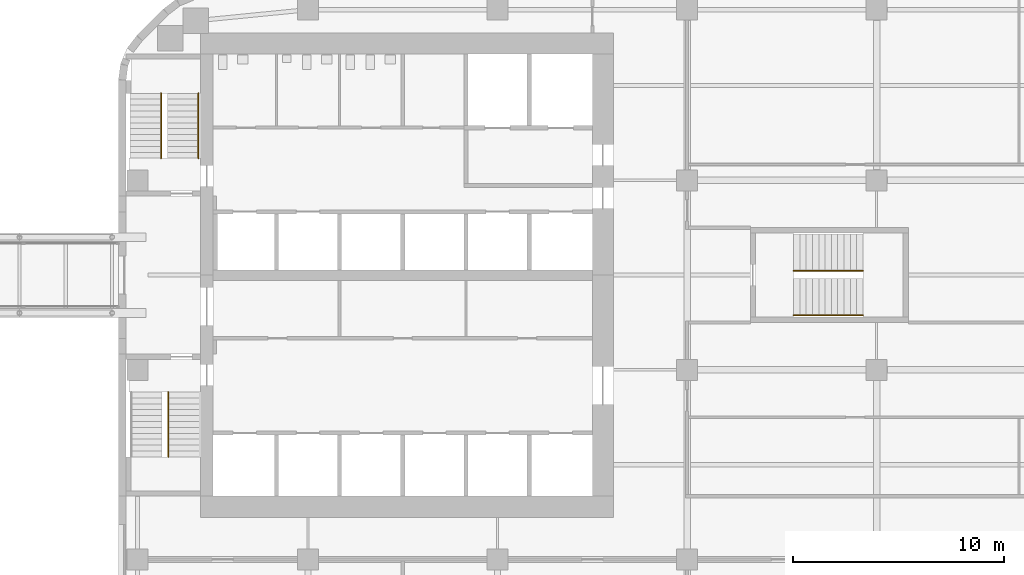
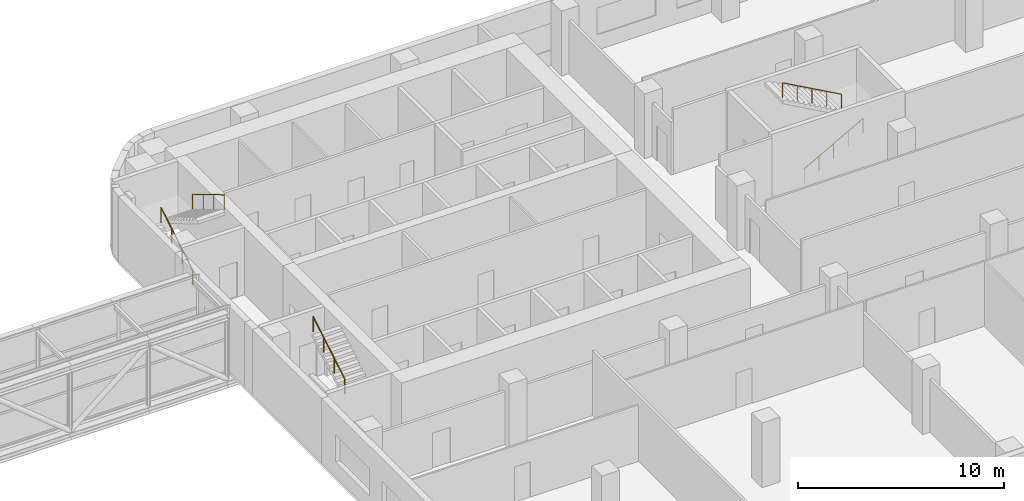
# One storey, part 23 of 24: 5 railings, 3 elements without a shape of their own.
"""IFC4 building model written with IfcOpenShell, lengths in metres."""

from ifc_helpers import new_model, si_unit, direction, frame, origin, origin_2d, place, context, subcontext, project, spatial, circle, extrude, material, type_object, element, aggregate, save


model = new_model("IFC4")

# Units and contexts
model_context = context("Model", 3, precision=1e-05, world=origin(), true_north=direction((0.0, 1.0)))
body_context = subcontext(model_context, "Body", "Model", "MODEL_VIEW")
ifc_project = project(units=[si_unit("LENGTHUNIT", "METRE"), si_unit("AREAUNIT", "SQUARE_METRE"), si_unit("VOLUMEUNIT", "CUBIC_METRE"), si_unit("PLANEANGLEUNIT", "RADIAN"), si_unit("MASSUNIT", "GRAM", prefix="KILO")], contexts=[model_context])

# Site, building, storey
site_placement = place(None, origin())
site = spatial("IfcSite", under=ifc_project, at=site_placement, CompositionType="ELEMENT")
building_placement = place(site_placement, origin())
building = spatial("IfcBuilding", under=site, at=building_placement, Name="Cinnabar Reach Civic Tower", CompositionType="ELEMENT")
storey_placement = place(building_placement, frame((0.0, 0.0, 71.0)))
storey = spatial("IfcBuildingStorey", under=building, at=storey_placement, Name="L16", CompositionType="ELEMENT", Elevation=71.0)

# Stair, railing
ifc_material_1 = material(Name="Concrete C40/50", Category="concrete")
stair_type = type_object("IfcStairType", Name="T1 Exit stair, half-turn", PredefinedType="HALF_TURN_STAIR", material=ifc_material_1)
stair_1_placement = place(storey_placement, origin())
stair_1 = element("IfcStair", 1, at=stair_1_placement, inside=storey, type_object=stair_type, Name="Stair T1-S1", PredefinedType="HALF_TURN_STAIR")
ifc_material_2 = material(Name="Stainless steel tube", Category="steel")
railing_type = type_object("IfcRailingType", Name="T1 Stair handrail, stainless tube 48", PredefinedType="HANDRAIL", material=ifc_material_2)
railing_1_placement = place(storey_placement, frame((2.375, 22.87, 2.1667)))
railing_1 = element("IfcRailing", 2, at=railing_1_placement, type_object=railing_type, Name="T1-S1 handrail 2", PredefinedType="HANDRAIL", context=body_context, shape_type="SweptSolid", body=[
    extrude(circle(Radius=0.024, at=origin_2d()), frame((0.0, 0.0, 0.876), z_axis=(0.0, 0.859296971757, 0.511476992962), x_axis=(-1.0, 0.0, 0.0)), (0.0, 0.0, 1.0), 3.5843),
    extrude(circle(Radius=0.021, at=origin_2d()), origin(), (0.0, 0.0, 1.0), 0.852),
    extrude(circle(Radius=0.021, at=origin_2d()), frame((0.0, 1.0267, 0.6111)), (0.0, 0.0, 1.0), 0.852),
    extrude(circle(Radius=0.021, at=origin_2d()), frame((0.0, 2.0533, 1.2222)), (0.0, 0.0, 1.0), 0.852),
    extrude(circle(Radius=0.021, at=origin_2d()), frame((0.0, 3.08, 1.8333)), (0.0, 0.0, 1.0), 0.852),
])
aggregate(stair_1, [railing_1])

# Stair, railings
stair_2_placement = place(storey_placement, origin())
stair_2 = element("IfcStair", 3, at=stair_2_placement, inside=storey, type_object=stair_type, Name="Stair T1-S2", PredefinedType="HALF_TURN_STAIR")
railing_2_placement = place(storey_placement, frame((2.025, 37.05, 0.1667)))
railing_2 = element("IfcRailing", 4, at=railing_2_placement, type_object=railing_type, Name="T1-S2 handrail 1", PredefinedType="HANDRAIL", context=body_context, shape_type="SweptSolid", body=[
    extrude(circle(Radius=0.024, at=origin_2d()), frame((0.0, 0.0, 0.876), z_axis=(0.0, 0.859296971757, 0.511476992962), x_axis=(-1.0, 0.0, 0.0)), (0.0, 0.0, 1.0), 3.5843),
    extrude(circle(Radius=0.021, at=origin_2d()), origin(), (0.0, 0.0, 1.0), 0.852),
    extrude(circle(Radius=0.021, at=origin_2d()), frame((0.0, 1.0267, 0.6111)), (0.0, 0.0, 1.0), 0.852),
    extrude(circle(Radius=0.021, at=origin_2d()), frame((0.0, 2.0533, 1.2222)), (0.0, 0.0, 1.0), 0.852),
    extrude(circle(Radius=0.021, at=origin_2d()), frame((0.0, 3.08, 1.8333)), (0.0, 0.0, 1.0), 0.852),
])
railing_3_placement = place(storey_placement, frame((3.8, 40.13, 2.1667)))
railing_3 = element("IfcRailing", 5, at=railing_3_placement, type_object=railing_type, Name="T1-S2 handrail 2", PredefinedType="HANDRAIL", context=body_context, shape_type="SweptSolid", body=[
    extrude(circle(Radius=0.024, at=origin_2d()), frame((0.0, 0.0, 0.876), z_axis=(0.0, -0.859296971757, 0.511476992962), x_axis=(1.0, 0.0, 0.0)), (0.0, 0.0, 1.0), 3.5843),
    extrude(circle(Radius=0.021, at=origin_2d()), origin(), (0.0, 0.0, 1.0), 0.852),
    extrude(circle(Radius=0.021, at=origin_2d()), frame((0.0, -1.0267, 0.6111)), (0.0, 0.0, 1.0), 0.852),
    extrude(circle(Radius=0.021, at=origin_2d()), frame((0.0, -2.0533, 1.2222)), (0.0, 0.0, 1.0), 0.852),
    extrude(circle(Radius=0.021, at=origin_2d()), frame((0.0, -3.08, 1.8333)), (0.0, 0.0, 1.0), 0.852),
])
aggregate(stair_2, [railing_2, railing_3])

stair_3_placement = place(storey_placement, origin())
stair_3 = element("IfcStair", 6, at=stair_3_placement, inside=storey, type_object=stair_type, Name="Stair T1-S3", PredefinedType="HALF_TURN_STAIR")
railing_4_placement = place(storey_placement, frame((32.05, 29.6, 0.1667)))
railing_4 = element("IfcRailing", 7, at=railing_4_placement, type_object=railing_type, Name="T1-S3 handrail 1", PredefinedType="HANDRAIL", context=body_context, shape_type="SweptSolid", body=[
    extrude(circle(Radius=0.024, at=origin_2d()), frame((0.0, 0.0, 0.876), z_axis=(0.874161024642, 0.0, 0.485636183781), x_axis=(0.0, 1.0, 0.0)), (0.0, 0.0, 1.0), 3.775),
    extrude(circle(Radius=0.021, at=origin_2d()), origin(), (0.0, 0.0, 1.0), 0.852),
    extrude(circle(Radius=0.021, at=origin_2d()), frame((0.825, 0.0, 0.4583)), (0.0, 0.0, 1.0), 0.852),
    extrude(circle(Radius=0.021, at=origin_2d()), frame((1.65, 0.0, 0.9166)), (0.0, 0.0, 1.0), 0.852),
    extrude(circle(Radius=0.021, at=origin_2d()), frame((2.475, 0.0, 1.375)), (0.0, 0.0, 1.0), 0.852),
    extrude(circle(Radius=0.021, at=origin_2d()), frame((3.3, 0.0, 1.8333)), (0.0, 0.0, 1.0), 0.852),
])
railing_5_placement = place(storey_placement, frame((35.35, 31.7, 2.1667)))
railing_5 = element("IfcRailing", 8, at=railing_5_placement, type_object=railing_type, Name="T1-S3 handrail 2", PredefinedType="HANDRAIL", context=body_context, shape_type="SweptSolid", body=[
    extrude(circle(Radius=0.024, at=origin_2d()), frame((0.0, 0.0, 0.876), z_axis=(-0.874161024642, 0.0, 0.485636183781), x_axis=(0.0, -1.0, 0.0)), (0.0, 0.0, 1.0), 3.775),
    extrude(circle(Radius=0.021, at=origin_2d()), origin(), (0.0, 0.0, 1.0), 0.852),
    extrude(circle(Radius=0.021, at=origin_2d()), frame((-0.825, 0.0, 0.4583)), (0.0, 0.0, 1.0), 0.852),
    extrude(circle(Radius=0.021, at=origin_2d()), frame((-1.65, 0.0, 0.9166)), (0.0, 0.0, 1.0), 0.852),
    extrude(circle(Radius=0.021, at=origin_2d()), frame((-2.475, 0.0, 1.375)), (0.0, 0.0, 1.0), 0.852),
    extrude(circle(Radius=0.021, at=origin_2d()), frame((-3.3, 0.0, 1.8333)), (0.0, 0.0, 1.0), 0.852),
])
aggregate(stair_3, [railing_4, railing_5])

save(model, "model.ifc")
